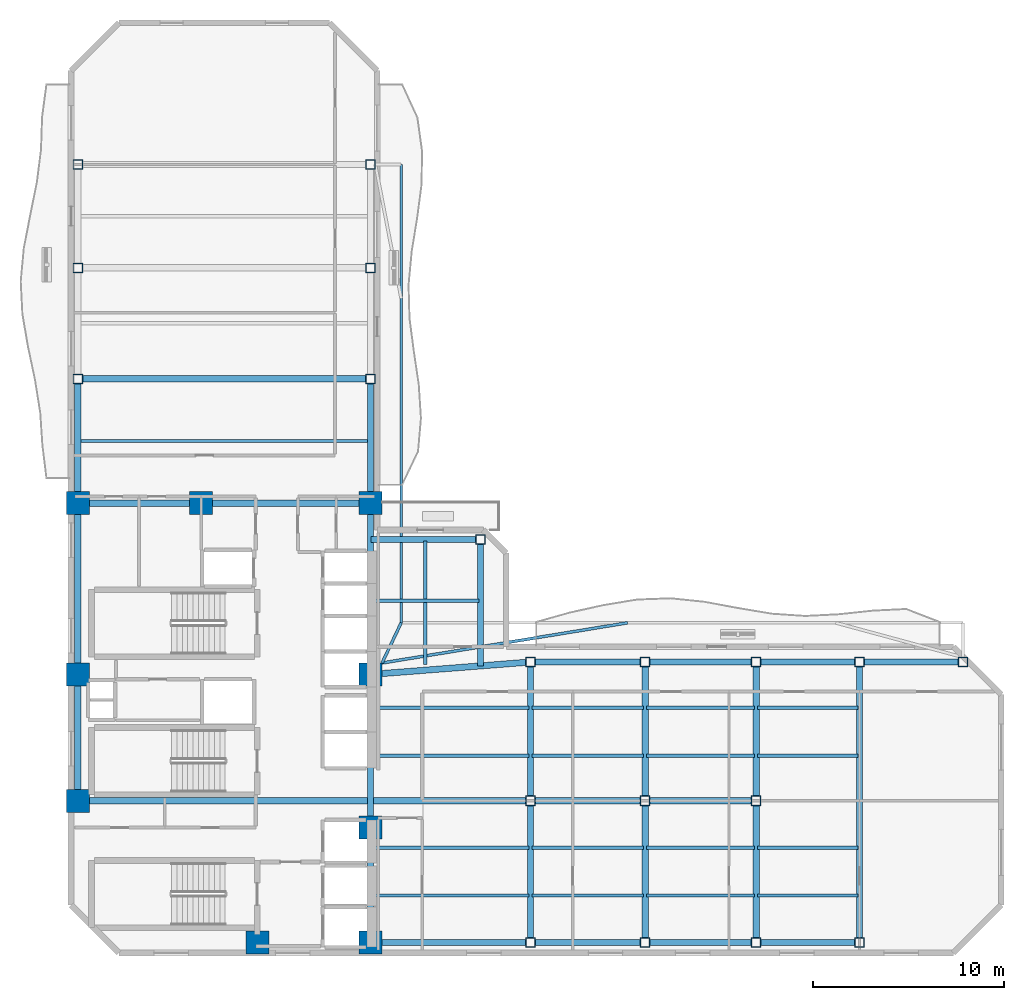
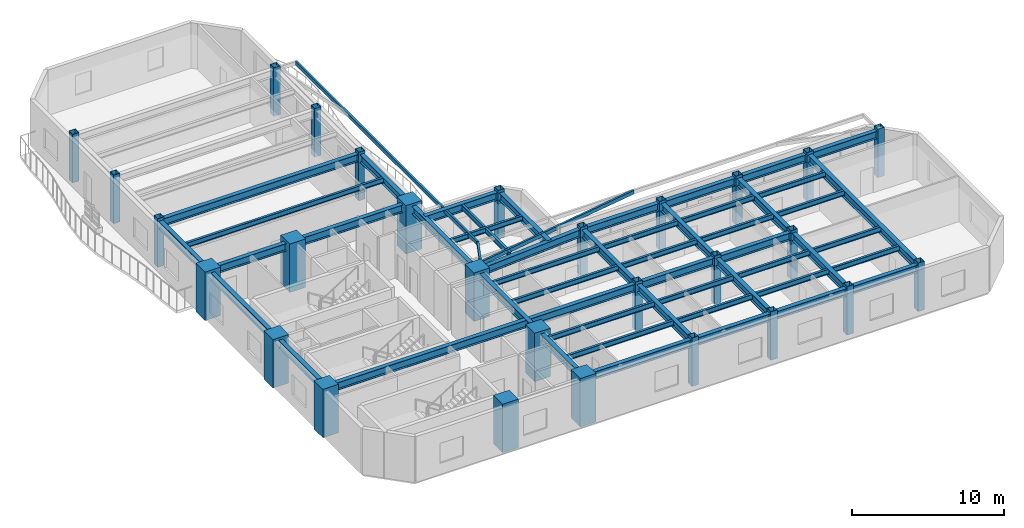
# One storey, part 1 of 10: 53 beams, 28 columns.
"""IFC4 building model written with IfcOpenShell, lengths in metres."""

from ifc_helpers import new_model, si_unit, direction, frame, origin, origin_2d, place, context, subcontext, project, spatial, rectangle, hollow_rectangle, i_section, extrude, material, material_profile, profile_set, type_object, element, save


model = new_model("IFC4")

# Units and contexts
model_context = context("Model", 3, precision=1e-05, world=origin(), true_north=direction((0.0, 1.0)))
body_context = subcontext(model_context, "Body", "Model", "MODEL_VIEW")
ifc_project = project(units=[si_unit("LENGTHUNIT", "METRE"), si_unit("AREAUNIT", "SQUARE_METRE"), si_unit("VOLUMEUNIT", "CUBIC_METRE"), si_unit("PLANEANGLEUNIT", "RADIAN"), si_unit("MASSUNIT", "GRAM", prefix="KILO")], contexts=[model_context])

# Site, building, storey
site_placement = place(None, origin())
site = spatial("IfcSite", under=ifc_project, at=site_placement, CompositionType="ELEMENT")
building_placement = place(site_placement, origin())
building = spatial("IfcBuilding", under=site, at=building_placement, Name="Mawjaban Terraces University", CompositionType="ELEMENT")
storey_placement = place(building_placement, frame((0.0, 0.0, 158.0)))
storey = spatial("IfcBuildingStorey", under=building, at=storey_placement, Name="L38", CompositionType="ELEMENT", Elevation=158.0)

# Columns
ifc_material_1 = material(Name="Concrete C60/75", Category="concrete")
ifc_material_profile_1 = material_profile(ifc_material_1, rectangle(XDim=1.199951171875, YDim=1.199951171875, at=origin_2d()), Name="RC1200X1200")
ifc_profile_set_1 = profile_set([ifc_material_profile_1], Name="Concrete C60/75")
column_type_1 = type_object("IfcColumnType", Name="Col_RC1200X1200", PredefinedType="COLUMN", material=ifc_profile_set_1)
for number, where, z_axis, x_axis, name in (
    (1, (31.75, 0.550048828125, 0.0), (0.0, 0.0, 1.0), (1.0, 0.0, 0.0), "L38 Column CC2"),
    (2, (37.64990234375, 0.550048828125, 0.0), (0.0, 0.0, 1.0), (1.0, 0.0, 0.0), "L38 Column CC3"),
    (3, (22.35009765625, 7.949951171875, 0.0), (0.0, 0.0, 1.0), (1.0, 0.0, 0.0), "L38 Column CC4"),
    (4, (37.64990234375, 6.550048828125, 0.0), (0.0, 0.0, 1.0), (1.0, 0.0, 0.0), "L38 Column CC5"),
    (5, (22.35009765625, 14.550048828125, 0.0), (0.0, 0.0, 1.0), (1.0, 0.0, 0.0), "L38 Column CC6"),
    (6, (37.64990234375, 14.550048828125, 0.0), (0.0, 0.0, 1.0), (1.0, 0.0, 0.0), "L38 Column CC7"),
    (7, (22.35009765625, 23.5, 0.0), (0.0, 0.0, 1.0), (1.0, 0.0, 0.0), "L38 Column CC8"),
    (8, (28.800048828125, 23.5, 0.0), (0.0, 0.0, 1.0), (1.0, 0.0, 0.0), "L38 Column CC9"),
    (9, (37.64990234375, 23.5, 0.0), (0.0, 0.0, 1.0), (1.0, 0.0, 0.0), "L38 Column CC10"),
):
    element("IfcColumn", number, at=place(storey_placement, frame(where, z_axis=z_axis, x_axis=x_axis)), inside=storey, type_object=column_type_1, Name=name, PredefinedType="COLUMN", context=body_context, shape_type="SweptSolid", body=[
        extrude(rectangle(XDim=1.199951171875, YDim=1.199951171875, at=origin_2d()), origin(), (0.0, 0.0, 1.0), 3.89990234375),
    ])
ifc_material_2 = material(Name="Steel EN 10210-1 S355J2H", Category="steel")
ifc_material_profile_2 = material_profile(ifc_material_2, hollow_rectangle(XDim=0.5, YDim=0.5, WallThickness=0.02490234375, at=origin_2d()), Name="SHS500X500X25")
ifc_profile_set_2 = profile_set([ifc_material_profile_2], Name="Steel EN 10210-1 S355J2H")
column_type_2 = type_object("IfcColumnType", Name="Col_SHS500X500X25", PredefinedType="COLUMN", material=ifc_profile_set_2)
for number, where, z_axis, x_axis, name in (
    (10, (46.0, 0.550048828125, 0.0), (0.0, 0.0, 1.0), (1.0, 0.0, 0.0), "L38 Column TE-460-005"),
    (11, (46.0, 7.949951171875, 0.0), (0.0, 0.0, 1.0), (1.0, 0.0, 0.0), "L38 Column TE-460-080"),
    (12, (46.0, 15.199951171875, 0.0), (0.0, 0.0, 1.0), (1.0, 0.0, 0.0), "L38 Column TE-460-152"),
    (13, (52.0, 0.550048828125, 0.0), (0.0, 0.0, 1.0), (1.0, 0.0, 0.0), "L38 Column TE-520-005"),
    (14, (52.0, 7.949951171875, 0.0), (0.0, 0.0, 1.0), (1.0, 0.0, 0.0), "L38 Column TE-520-080"),
    (15, (52.0, 15.199951171875, 0.0), (0.0, 0.0, 1.0), (1.0, 0.0, 0.0), "L38 Column TE-520-152"),
    (16, (57.800048828125, 0.550048828125, 0.0), (0.0, 0.0, 1.0), (1.0, 0.0, 0.0), "L38 Column TE-578-005"),
    (17, (57.800048828125, 7.949951171875, 0.0), (0.0, 0.0, 1.0), (1.0, 0.0, 0.0), "L38 Column TE-578-080"),
    (18, (57.800048828125, 15.199951171875, 0.0), (0.0, 0.0, 1.0), (1.0, 0.0, 0.0), "L38 Column TE-578-152"),
    (19, (63.199951171875, 0.550048828125, 0.0), (0.0, 0.0, 1.0), (1.0, 0.0, 0.0), "L38 Column TE-632-005"),
    (20, (63.199951171875, 15.199951171875, 0.0), (0.0, 0.0, 1.0), (1.0, 0.0, 0.0), "L38 Column TE-632-152"),
    (21, (68.60009765625, 15.199951171875, 0.0), (0.0, 0.0, 1.0), (1.0, 0.0, 0.0), "L38 Column TE-686-152"),
    (22, (22.35009765625, 30.0, 0.0), (0.0, 0.0, 1.0), (1.0, 0.0, 0.0), "L38 Column TN-223-300"),
    (23, (37.64990234375, 30.0, 0.0), (0.0, 0.0, 1.0), (1.0, 0.0, 0.0), "L38 Column TN-376-300"),
    (24, (22.35009765625, 35.800048828125, 0.0), (0.0, 0.0, 1.0), (1.0, 0.0, 0.0), "L38 Column TN-223-358"),
    (25, (37.64990234375, 35.800048828125, 0.0), (0.0, 0.0, 1.0), (1.0, 0.0, 0.0), "L38 Column TN-376-358"),
    (26, (22.35009765625, 41.199951171875, 0.0), (0.0, 0.0, 1.0), (1.0, 0.0, 0.0), "L38 Column TN-223-412"),
    (27, (37.64990234375, 41.199951171875, 0.0), (0.0, 0.0, 1.0), (1.0, 0.0, 0.0), "L38 Column TN-376-412"),
    (28, (43.39990234375, 21.60009765625, 0.0), (0.0, 0.0, 1.0), (1.0, 0.0, 0.0), "L38 Column TS-434-216"),
):
    element("IfcColumn", number, at=place(storey_placement, frame(where, z_axis=z_axis, x_axis=x_axis)), inside=storey, type_object=column_type_2, Name=name, PredefinedType="COLUMN", context=body_context, shape_type="SweptSolid", body=[
        extrude(hollow_rectangle(XDim=0.5, YDim=0.5, WallThickness=0.02490234375, at=origin_2d()), origin(), (0.0, 0.0, 1.0), 3.89990234375),
    ])

# Beams
ifc_material_profile_3 = material_profile(ifc_material_2, hollow_rectangle(XDim=0.14990234375, YDim=0.300048828125, WallThickness=0.012451171875, at=origin_2d()), Name="RHS300X150X12.5")
ifc_profile_set_3 = profile_set([ifc_material_profile_3], Name="Steel EN 10210-1 S355J2H")
beam_type_1 = type_object("IfcBeamType", Name="BalconyCantileverSpandrel_RHS", PredefinedType="SPANDREL", material=ifc_profile_set_3)
beam_1_placement = place(storey_placement, frame((38.25, 15.14990234375, 3.5400390625), z_axis=(0.429917283348, 0.902868279141, 0.0), x_axis=(-0.902868279141, 0.429917283348, 0.0)))
element("IfcBeam", 29, at=beam_1_placement, inside=storey, type_object=beam_type_1, Name="L38 Corner Outrigger BAL-L39-N", PredefinedType="SPANDREL", context=body_context, shape_type="SweptSolid", body=[
    extrude(hollow_rectangle(XDim=0.14990234375, YDim=0.300048828125, WallThickness=0.012451171875, at=origin_2d()), origin(), (0.0, 0.0, 1.0), 2.325927734375),
])
beam_2_placement = place(storey_placement, frame((38.25, 15.14990234375, 3.5400390625), z_axis=(0.986868814816, 0.161523813552, 0.0), x_axis=(-0.161523813552, 0.986868814816, 0.0)))
element("IfcBeam", 30, at=beam_2_placement, inside=storey, type_object=beam_type_1, Name="L38 Exterior Diagonal Strut BAL-L39-N.1", PredefinedType="SPANDREL", context=body_context, shape_type="SweptSolid", body=[
    extrude(hollow_rectangle(XDim=0.14990234375, YDim=0.300048828125, WallThickness=0.012451171875, at=origin_2d()), origin(), (0.0, 0.0, 1.0), 13.001708984375),
])
beam_3_placement = place(storey_placement, frame((39.25, 17.25, 3.5400390625), z_axis=(0.0, 1.0, 0.0), x_axis=(-1.0, 0.0, 0.0)))
element("IfcBeam", 31, at=beam_3_placement, inside=storey, type_object=beam_type_1, Name="L38 Exterior Edge Spandrel BAL-L39-E", PredefinedType="SPANDREL", context=body_context, shape_type="SweptSolid", body=[
    extrude(hollow_rectangle(XDim=0.14990234375, YDim=0.300048828125, WallThickness=0.012451171875, at=origin_2d()), origin(), (0.0, 0.0, 1.0), 23.949951171875),
])
ifc_material_3 = material(Name="Steel ASTM A572 Grade 50", Category="steel")
ifc_material_profile_4 = material_profile(ifc_material_3, i_section(OverallWidth=0.324951171875, OverallDepth=0.615966796875, WebThickness=0.013916015625, FlangeThickness=0.021484375, at=origin_2d()), Name="W610X174")
ifc_profile_set_4 = profile_set([ifc_material_profile_4], Name="Steel ASTM A572 Grade 50")
beam_type_2 = type_object("IfcBeamType", Name="Beam_B_W610X174", PredefinedType="BEAM", material=ifc_profile_set_4)
beam_4_placement = place(storey_placement, frame((38.25, 0.550048828125, 3.382080078125), z_axis=(1.0, 0.0, 0.0), x_axis=(0.0, 1.0, 0.0)))
element("IfcBeam", 32, at=beam_4_placement, inside=storey, type_object=beam_type_2, Name="L38 Beam BM-L38-EW-01", PredefinedType="BEAM", context=body_context, shape_type="SweptSolid", body=[
    extrude(i_section(OverallWidth=0.324951171875, OverallDepth=0.615966796875, WebThickness=0.013916015625, FlangeThickness=0.021484375, at=origin_2d()), origin(), (0.0, 0.0, 1.0), 7.5),
])
beam_5_placement = place(storey_placement, frame((46.25, 0.550048828125, 3.382080078125), z_axis=(1.0, 0.0, 0.0), x_axis=(0.0, 1.0, 0.0)))
element("IfcBeam", 33, at=beam_5_placement, inside=storey, type_object=beam_type_2, Name="L38 Beam BM-L38-EW-02", PredefinedType="BEAM", context=body_context, shape_type="SweptSolid", body=[
    extrude(i_section(OverallWidth=0.324951171875, OverallDepth=0.615966796875, WebThickness=0.013916015625, FlangeThickness=0.021484375, at=origin_2d()), origin(), (0.0, 0.0, 1.0), 5.5),
])
beam_6_placement = place(storey_placement, frame((52.25, 0.550048828125, 3.382080078125), z_axis=(1.0, 0.0, 0.0), x_axis=(0.0, 1.0, 0.0)))
element("IfcBeam", 34, at=beam_6_placement, inside=storey, type_object=beam_type_2, Name="L38 Beam BM-L38-EW-03", PredefinedType="BEAM", context=body_context, shape_type="SweptSolid", body=[
    extrude(i_section(OverallWidth=0.324951171875, OverallDepth=0.615966796875, WebThickness=0.013916015625, FlangeThickness=0.021484375, at=origin_2d()), origin(), (0.0, 0.0, 1.0), 5.300048828125),
])
beam_7_placement = place(storey_placement, frame((58.050048828125, 0.550048828125, 3.382080078125), z_axis=(1.0, 0.0, 0.0), x_axis=(0.0, 1.0, 0.0)))
element("IfcBeam", 35, at=beam_7_placement, inside=storey, type_object=beam_type_2, Name="L38 Beam BM-L38-EW-04", PredefinedType="BEAM", context=body_context, shape_type="SweptSolid", body=[
    extrude(i_section(OverallWidth=0.324951171875, OverallDepth=0.615966796875, WebThickness=0.013916015625, FlangeThickness=0.021484375, at=origin_2d()), origin(), (0.0, 0.0, 1.0), 4.89990234375),
])
beam_8_placement = place(storey_placement, frame((22.949951171875, 7.949951171875, 3.382080078125), z_axis=(1.0, 0.0, 0.0), x_axis=(0.0, 1.0, 0.0)))
element("IfcBeam", 36, at=beam_8_placement, inside=storey, type_object=beam_type_2, Name="L38 Beam BM-L38-EW-05", PredefinedType="BEAM", context=body_context, shape_type="SweptSolid", body=[
    extrude(i_section(OverallWidth=0.324951171875, OverallDepth=0.615966796875, WebThickness=0.013916015625, FlangeThickness=0.021484375, at=origin_2d()), origin(), (0.0, 0.0, 1.0), 22.800048828125),
])
beam_9_placement = place(storey_placement, frame((46.25, 7.949951171875, 3.382080078125), z_axis=(1.0, 0.0, 0.0), x_axis=(0.0, 1.0, 0.0)))
element("IfcBeam", 37, at=beam_9_placement, inside=storey, type_object=beam_type_2, Name="L38 Beam BM-L38-EW-06", PredefinedType="BEAM", context=body_context, shape_type="SweptSolid", body=[
    extrude(i_section(OverallWidth=0.324951171875, OverallDepth=0.615966796875, WebThickness=0.013916015625, FlangeThickness=0.021484375, at=origin_2d()), origin(), (0.0, 0.0, 1.0), 5.5),
])
beam_10_placement = place(storey_placement, frame((52.25, 7.949951171875, 3.382080078125), z_axis=(1.0, 0.0, 0.0), x_axis=(0.0, 1.0, 0.0)))
element("IfcBeam", 38, at=beam_10_placement, inside=storey, type_object=beam_type_2, Name="L38 Beam BM-L38-EW-07", PredefinedType="BEAM", context=body_context, shape_type="SweptSolid", body=[
    extrude(i_section(OverallWidth=0.324951171875, OverallDepth=0.615966796875, WebThickness=0.013916015625, FlangeThickness=0.021484375, at=origin_2d()), origin(), (0.0, 0.0, 1.0), 5.300048828125),
])
beam_11_placement = place(storey_placement, frame((46.25, 15.199951171875, 3.382080078125), z_axis=(1.0, 0.0, 0.0), x_axis=(0.0, 1.0, 0.0)))
element("IfcBeam", 39, at=beam_11_placement, inside=storey, type_object=beam_type_2, Name="L38 Beam BM-L38-EW-08", PredefinedType="BEAM", context=body_context, shape_type="SweptSolid", body=[
    extrude(i_section(OverallWidth=0.324951171875, OverallDepth=0.615966796875, WebThickness=0.013916015625, FlangeThickness=0.021484375, at=origin_2d()), origin(), (0.0, 0.0, 1.0), 5.5),
])
beam_12_placement = place(storey_placement, frame((52.25, 15.199951171875, 3.382080078125), z_axis=(1.0, 0.0, 0.0), x_axis=(0.0, 1.0, 0.0)))
element("IfcBeam", 40, at=beam_12_placement, inside=storey, type_object=beam_type_2, Name="L38 Beam BM-L38-EW-09", PredefinedType="BEAM", context=body_context, shape_type="SweptSolid", body=[
    extrude(i_section(OverallWidth=0.324951171875, OverallDepth=0.615966796875, WebThickness=0.013916015625, FlangeThickness=0.021484375, at=origin_2d()), origin(), (0.0, 0.0, 1.0), 5.300048828125),
])
beam_13_placement = place(storey_placement, frame((58.050048828125, 15.199951171875, 3.382080078125), z_axis=(1.0, 0.0, 0.0), x_axis=(0.0, 1.0, 0.0)))
element("IfcBeam", 41, at=beam_13_placement, inside=storey, type_object=beam_type_2, Name="L38 Beam BM-L38-EW-10", PredefinedType="BEAM", context=body_context, shape_type="SweptSolid", body=[
    extrude(i_section(OverallWidth=0.324951171875, OverallDepth=0.615966796875, WebThickness=0.013916015625, FlangeThickness=0.021484375, at=origin_2d()), origin(), (0.0, 0.0, 1.0), 4.89990234375),
])
beam_14_placement = place(storey_placement, frame((63.449951171875, 15.199951171875, 3.382080078125), z_axis=(1.0, 0.0, 0.0), x_axis=(0.0, 1.0, 0.0)))
element("IfcBeam", 42, at=beam_14_placement, inside=storey, type_object=beam_type_2, Name="L38 Beam BM-L38-EW-11", PredefinedType="BEAM", context=body_context, shape_type="SweptSolid", body=[
    extrude(i_section(OverallWidth=0.324951171875, OverallDepth=0.615966796875, WebThickness=0.013916015625, FlangeThickness=0.021484375, at=origin_2d()), origin(), (0.0, 0.0, 1.0), 4.900146484375),
])
beam_15_placement = place(storey_placement, frame((22.949951171875, 23.5, 3.382080078125), z_axis=(1.0, 0.0, 0.0), x_axis=(0.0, 1.0, 0.0)))
element("IfcBeam", 43, at=beam_15_placement, inside=storey, type_object=beam_type_2, Name="L38 Beam BM-L38-EW-12", PredefinedType="BEAM", context=body_context, shape_type="SweptSolid", body=[
    extrude(i_section(OverallWidth=0.324951171875, OverallDepth=0.615966796875, WebThickness=0.013916015625, FlangeThickness=0.021484375, at=origin_2d()), origin(), (0.0, 0.0, 1.0), 5.25),
])
beam_16_placement = place(storey_placement, frame((29.39990234375, 23.5, 3.382080078125), z_axis=(1.0, 0.0, 0.0), x_axis=(0.0, 1.0, 0.0)))
element("IfcBeam", 44, at=beam_16_placement, inside=storey, type_object=beam_type_2, Name="L38 Beam BM-L38-EW-13", PredefinedType="BEAM", context=body_context, shape_type="SweptSolid", body=[
    extrude(i_section(OverallWidth=0.324951171875, OverallDepth=0.615966796875, WebThickness=0.013916015625, FlangeThickness=0.021484375, at=origin_2d()), origin(), (0.0, 0.0, 1.0), 7.650146484375),
])
beam_17_placement = place(storey_placement, frame((22.60009765625, 30.0, 3.382080078125), z_axis=(1.0, 0.0, 0.0), x_axis=(0.0, 1.0, 0.0)))
element("IfcBeam", 45, at=beam_17_placement, inside=storey, type_object=beam_type_2, Name="L38 Beam BM-L38-EW-14", PredefinedType="BEAM", context=body_context, shape_type="SweptSolid", body=[
    extrude(i_section(OverallWidth=0.324951171875, OverallDepth=0.615966796875, WebThickness=0.013916015625, FlangeThickness=0.021484375, at=origin_2d()), origin(), (0.0, 0.0, 1.0), 14.7998046875),
])
beam_18_placement = place(storey_placement, frame((22.35009765625, 8.550048828125, 3.382080078125), z_axis=(0.0, 1.0, 0.0), x_axis=(-1.0, 0.0, 0.0)))
element("IfcBeam", 46, at=beam_18_placement, inside=storey, type_object=beam_type_2, Name="L38 Beam BM-L38-NS-01", PredefinedType="BEAM", context=body_context, shape_type="SweptSolid", body=[
    extrude(i_section(OverallWidth=0.324951171875, OverallDepth=0.615966796875, WebThickness=0.013916015625, FlangeThickness=0.021484375, at=origin_2d()), origin(), (0.0, 0.0, 1.0), 5.39990234375),
])
beam_19_placement = place(storey_placement, frame((22.35009765625, 15.14990234375, 3.382080078125), z_axis=(0.0, 1.0, 0.0), x_axis=(-1.0, 0.0, 0.0)))
element("IfcBeam", 47, at=beam_19_placement, inside=storey, type_object=beam_type_2, Name="L38 Beam BM-L38-NS-02", PredefinedType="BEAM", context=body_context, shape_type="SweptSolid", body=[
    extrude(i_section(OverallWidth=0.324951171875, OverallDepth=0.615966796875, WebThickness=0.013916015625, FlangeThickness=0.021484375, at=origin_2d()), origin(), (0.0, 0.0, 1.0), 7.75),
])
beam_20_placement = place(storey_placement, frame((22.35009765625, 24.10009765625, 3.382080078125), z_axis=(0.0, 1.0, 0.0), x_axis=(-1.0, 0.0, 0.0)))
element("IfcBeam", 48, at=beam_20_placement, inside=storey, type_object=beam_type_2, Name="L38 Beam BM-L38-NS-03", PredefinedType="BEAM", context=body_context, shape_type="SweptSolid", body=[
    extrude(i_section(OverallWidth=0.324951171875, OverallDepth=0.615966796875, WebThickness=0.013916015625, FlangeThickness=0.021484375, at=origin_2d()), origin(), (0.0, 0.0, 1.0), 5.64990234375),
])
beam_21_placement = place(storey_placement, frame((37.64990234375, 1.14990234375, 3.382080078125), z_axis=(0.0, 1.0, 0.0), x_axis=(-1.0, 0.0, 0.0)))
element("IfcBeam", 49, at=beam_21_placement, inside=storey, type_object=beam_type_2, Name="L38 Beam BM-L38-NS-06", PredefinedType="BEAM", context=body_context, shape_type="SweptSolid", body=[
    extrude(i_section(OverallWidth=0.324951171875, OverallDepth=0.615966796875, WebThickness=0.013916015625, FlangeThickness=0.021484375, at=origin_2d()), origin(), (0.0, 0.0, 1.0), 4.800048828125),
])
beam_22_placement = place(storey_placement, frame((37.64990234375, 7.14990234375, 3.382080078125), z_axis=(0.0, 1.0, 0.0), x_axis=(-1.0, 0.0, 0.0)))
element("IfcBeam", 50, at=beam_22_placement, inside=storey, type_object=beam_type_2, Name="L38 Beam BM-L38-NS-07", PredefinedType="BEAM", context=body_context, shape_type="SweptSolid", body=[
    extrude(i_section(OverallWidth=0.324951171875, OverallDepth=0.615966796875, WebThickness=0.013916015625, FlangeThickness=0.021484375, at=origin_2d()), origin(), (0.0, 0.0, 1.0), 6.800048828125),
])
beam_23_placement = place(storey_placement, frame((37.64990234375, 15.14990234375, 3.382080078125), z_axis=(0.0, 1.0, 0.0), x_axis=(-1.0, 0.0, 0.0)))
element("IfcBeam", 51, at=beam_23_placement, inside=storey, type_object=beam_type_2, Name="L38 Beam BM-L38-NS-08", PredefinedType="BEAM", context=body_context, shape_type="SweptSolid", body=[
    extrude(i_section(OverallWidth=0.324951171875, OverallDepth=0.615966796875, WebThickness=0.013916015625, FlangeThickness=0.021484375, at=origin_2d()), origin(), (0.0, 0.0, 1.0), 7.75),
])
beam_24_placement = place(storey_placement, frame((37.64990234375, 24.10009765625, 3.382080078125), z_axis=(0.0, 1.0, 0.0), x_axis=(-1.0, 0.0, 0.0)))
element("IfcBeam", 52, at=beam_24_placement, inside=storey, type_object=beam_type_2, Name="L38 Beam BM-L38-NS-09", PredefinedType="BEAM", context=body_context, shape_type="SweptSolid", body=[
    extrude(i_section(OverallWidth=0.324951171875, OverallDepth=0.615966796875, WebThickness=0.013916015625, FlangeThickness=0.021484375, at=origin_2d()), origin(), (0.0, 0.0, 1.0), 5.64990234375),
])
beam_25_placement = place(storey_placement, frame((46.0, 0.800048828125, 3.382080078125), z_axis=(0.0, 1.0, 0.0), x_axis=(-1.0, 0.0, 0.0)))
element("IfcBeam", 53, at=beam_25_placement, inside=storey, type_object=beam_type_2, Name="L38 Beam BM-L38-NS-12", PredefinedType="BEAM", context=body_context, shape_type="SweptSolid", body=[
    extrude(i_section(OverallWidth=0.324951171875, OverallDepth=0.615966796875, WebThickness=0.013916015625, FlangeThickness=0.021484375, at=origin_2d()), origin(), (0.0, 0.0, 1.0), 6.89990234375),
])
beam_26_placement = place(storey_placement, frame((46.0, 8.199951171875, 3.382080078125), z_axis=(0.0, 1.0, 0.0), x_axis=(-1.0, 0.0, 0.0)))
element("IfcBeam", 54, at=beam_26_placement, inside=storey, type_object=beam_type_2, Name="L38 Beam BM-L38-NS-13", PredefinedType="BEAM", context=body_context, shape_type="SweptSolid", body=[
    extrude(i_section(OverallWidth=0.324951171875, OverallDepth=0.615966796875, WebThickness=0.013916015625, FlangeThickness=0.021484375, at=origin_2d()), origin(), (0.0, 0.0, 1.0), 6.75),
])
beam_27_placement = place(storey_placement, frame((52.0, 0.800048828125, 3.382080078125), z_axis=(0.0, 1.0, 0.0), x_axis=(-1.0, 0.0, 0.0)))
element("IfcBeam", 55, at=beam_27_placement, inside=storey, type_object=beam_type_2, Name="L38 Beam BM-L38-NS-14", PredefinedType="BEAM", context=body_context, shape_type="SweptSolid", body=[
    extrude(i_section(OverallWidth=0.324951171875, OverallDepth=0.615966796875, WebThickness=0.013916015625, FlangeThickness=0.021484375, at=origin_2d()), origin(), (0.0, 0.0, 1.0), 6.89990234375),
])
beam_28_placement = place(storey_placement, frame((52.0, 8.199951171875, 3.382080078125), z_axis=(0.0, 1.0, 0.0), x_axis=(-1.0, 0.0, 0.0)))
element("IfcBeam", 56, at=beam_28_placement, inside=storey, type_object=beam_type_2, Name="L38 Beam BM-L38-NS-15", PredefinedType="BEAM", context=body_context, shape_type="SweptSolid", body=[
    extrude(i_section(OverallWidth=0.324951171875, OverallDepth=0.615966796875, WebThickness=0.013916015625, FlangeThickness=0.021484375, at=origin_2d()), origin(), (0.0, 0.0, 1.0), 6.75),
])
beam_29_placement = place(storey_placement, frame((57.800048828125, 0.800048828125, 3.382080078125), z_axis=(0.0, 1.0, 0.0), x_axis=(-1.0, 0.0, 0.0)))
element("IfcBeam", 57, at=beam_29_placement, inside=storey, type_object=beam_type_2, Name="L38 Beam BM-L38-NS-16", PredefinedType="BEAM", context=body_context, shape_type="SweptSolid", body=[
    extrude(i_section(OverallWidth=0.324951171875, OverallDepth=0.615966796875, WebThickness=0.013916015625, FlangeThickness=0.021484375, at=origin_2d()), origin(), (0.0, 0.0, 1.0), 6.89990234375),
])
beam_30_placement = place(storey_placement, frame((57.800048828125, 8.199951171875, 3.382080078125), z_axis=(0.0, 1.0, 0.0), x_axis=(-1.0, 0.0, 0.0)))
element("IfcBeam", 58, at=beam_30_placement, inside=storey, type_object=beam_type_2, Name="L38 Beam BM-L38-NS-17", PredefinedType="BEAM", context=body_context, shape_type="SweptSolid", body=[
    extrude(i_section(OverallWidth=0.324951171875, OverallDepth=0.615966796875, WebThickness=0.013916015625, FlangeThickness=0.021484375, at=origin_2d()), origin(), (0.0, 0.0, 1.0), 6.75),
])
beam_31_placement = place(storey_placement, frame((63.199951171875, 0.800048828125, 3.382080078125), z_axis=(0.0, 1.0, 0.0), x_axis=(-1.0, 0.0, 0.0)))
element("IfcBeam", 59, at=beam_31_placement, inside=storey, type_object=beam_type_2, Name="L38 Beam BM-L38-NS-18", PredefinedType="BEAM", context=body_context, shape_type="SweptSolid", body=[
    extrude(i_section(OverallWidth=0.324951171875, OverallDepth=0.615966796875, WebThickness=0.013916015625, FlangeThickness=0.021484375, at=origin_2d()), origin(), (0.0, 0.0, 1.0), 14.14990234375),
])
beam_32_placement = place(storey_placement, frame((38.248046875, 14.596923828125, 3.382080078125), z_axis=(0.996984614132, 0.077599479273, 0.0), x_axis=(-0.077599479273, 0.996984614132, 0.0)))
element("IfcBeam", 60, at=beam_32_placement, inside=storey, type_object=beam_type_2, Name="L38 Beam BM-L38-CTIE", PredefinedType="BEAM", context=body_context, shape_type="SweptSolid", body=[
    extrude(i_section(OverallWidth=0.324951171875, OverallDepth=0.615966796875, WebThickness=0.013916015625, FlangeThickness=0.021484375, at=origin_2d()), origin(), (0.0, 0.0, 1.0), 7.525634765625),
])
beam_33_placement = place(storey_placement, frame((37.679931640625, 21.60009765625, 3.382080078125), z_axis=(1.0, 0.0, 0.0), x_axis=(0.0, 1.0, 0.0)))
element("IfcBeam", 61, at=beam_33_placement, inside=storey, type_object=beam_type_2, Name="L38 Spur Tie Girder West", PredefinedType="BEAM", context=body_context, shape_type="SweptSolid", body=[
    extrude(i_section(OverallWidth=0.324951171875, OverallDepth=0.615966796875, WebThickness=0.013916015625, FlangeThickness=0.021484375, at=origin_2d()), origin(), (0.0, 0.0, 1.0), 5.469970703125),
])
beam_34_placement = place(storey_placement, frame((43.39990234375, 15.0, 3.382080078125), z_axis=(0.0, 1.0, 0.0), x_axis=(-1.0, 0.0, 0.0)))
element("IfcBeam", 62, at=beam_34_placement, inside=storey, type_object=beam_type_2, Name="L38 Spur Tie Girder South", PredefinedType="BEAM", context=body_context, shape_type="SweptSolid", body=[
    extrude(i_section(OverallWidth=0.324951171875, OverallDepth=0.615966796875, WebThickness=0.013916015625, FlangeThickness=0.021484375, at=origin_2d()), origin(), (0.0, 0.0, 1.0), 6.35009765625),
])
ifc_material_profile_5 = material_profile(ifc_material_3, i_section(OverallWidth=0.179931640625, OverallDepth=0.4130859375, WebThickness=0.009765625, FlangeThickness=0.01611328125, at=origin_2d()), Name="W410X74")
ifc_profile_set_5 = profile_set([ifc_material_profile_5], Name="Steel ASTM A572 Grade 50")
beam_type_3 = type_object("IfcBeamType", Name="Beam_J_W410X74", PredefinedType="JOIST", material=ifc_profile_set_5)
beam_35_placement = place(storey_placement, frame((37.72998046875, 3.0, 3.48291015625), z_axis=(1.0, 0.0, 0.0), x_axis=(0.0, 1.0, 0.0)))
element("IfcBeam", 63, at=beam_35_placement, inside=storey, type_object=beam_type_3, Name="L38 Composite Joist JST-L38-01", PredefinedType="JOIST", context=body_context, shape_type="SweptSolid", body=[
    extrude(i_section(OverallWidth=0.179931640625, OverallDepth=0.4130859375, WebThickness=0.009765625, FlangeThickness=0.01611328125, at=origin_2d()), origin(), (0.0, 0.0, 1.0), 8.18994140625),
])
beam_36_placement = place(storey_placement, frame((46.080078125, 3.0, 3.48291015625), z_axis=(1.0, 0.0, 0.0), x_axis=(0.0, 1.0, 0.0)))
element("IfcBeam", 64, at=beam_36_placement, inside=storey, type_object=beam_type_3, Name="L38 Composite Joist JST-L38-02", PredefinedType="JOIST", context=body_context, shape_type="SweptSolid", body=[
    extrude(i_section(OverallWidth=0.179931640625, OverallDepth=0.4130859375, WebThickness=0.009765625, FlangeThickness=0.01611328125, at=origin_2d()), origin(), (0.0, 0.0, 1.0), 5.83984375),
])
beam_37_placement = place(storey_placement, frame((52.080078125, 3.0, 3.48291015625), z_axis=(1.0, 0.0, 0.0), x_axis=(0.0, 1.0, 0.0)))
element("IfcBeam", 65, at=beam_37_placement, inside=storey, type_object=beam_type_3, Name="L38 Composite Joist JST-L38-03", PredefinedType="JOIST", context=body_context, shape_type="SweptSolid", body=[
    extrude(i_section(OverallWidth=0.179931640625, OverallDepth=0.4130859375, WebThickness=0.009765625, FlangeThickness=0.01611328125, at=origin_2d()), origin(), (0.0, 0.0, 1.0), 5.639892578125),
])
beam_38_placement = place(storey_placement, frame((57.8798828125, 3.0, 3.48291015625), z_axis=(1.0, 0.0, 0.0), x_axis=(0.0, 1.0, 0.0)))
element("IfcBeam", 66, at=beam_38_placement, inside=storey, type_object=beam_type_3, Name="L38 Composite Joist JST-L38-04", PredefinedType="JOIST", context=body_context, shape_type="SweptSolid", body=[
    extrude(i_section(OverallWidth=0.179931640625, OverallDepth=0.4130859375, WebThickness=0.009765625, FlangeThickness=0.01611328125, at=origin_2d()), origin(), (0.0, 0.0, 1.0), 5.240234375),
])
beam_39_placement = place(storey_placement, frame((37.72998046875, 5.5, 3.48291015625), z_axis=(1.0, 0.0, 0.0), x_axis=(0.0, 1.0, 0.0)))
element("IfcBeam", 67, at=beam_39_placement, inside=storey, type_object=beam_type_3, Name="L38 Composite Joist JST-L38-05", PredefinedType="JOIST", context=body_context, shape_type="SweptSolid", body=[
    extrude(i_section(OverallWidth=0.179931640625, OverallDepth=0.4130859375, WebThickness=0.009765625, FlangeThickness=0.01611328125, at=origin_2d()), origin(), (0.0, 0.0, 1.0), 8.18994140625),
])
beam_40_placement = place(storey_placement, frame((46.080078125, 5.5, 3.48291015625), z_axis=(1.0, 0.0, 0.0), x_axis=(0.0, 1.0, 0.0)))
element("IfcBeam", 68, at=beam_40_placement, inside=storey, type_object=beam_type_3, Name="L38 Composite Joist JST-L38-06", PredefinedType="JOIST", context=body_context, shape_type="SweptSolid", body=[
    extrude(i_section(OverallWidth=0.179931640625, OverallDepth=0.4130859375, WebThickness=0.009765625, FlangeThickness=0.01611328125, at=origin_2d()), origin(), (0.0, 0.0, 1.0), 5.83984375),
])
beam_41_placement = place(storey_placement, frame((52.080078125, 5.5, 3.48291015625), z_axis=(1.0, 0.0, 0.0), x_axis=(0.0, 1.0, 0.0)))
element("IfcBeam", 69, at=beam_41_placement, inside=storey, type_object=beam_type_3, Name="L38 Composite Joist JST-L38-07", PredefinedType="JOIST", context=body_context, shape_type="SweptSolid", body=[
    extrude(i_section(OverallWidth=0.179931640625, OverallDepth=0.4130859375, WebThickness=0.009765625, FlangeThickness=0.01611328125, at=origin_2d()), origin(), (0.0, 0.0, 1.0), 5.639892578125),
])
beam_42_placement = place(storey_placement, frame((57.8798828125, 5.5, 3.48291015625), z_axis=(1.0, 0.0, 0.0), x_axis=(0.0, 1.0, 0.0)))
element("IfcBeam", 70, at=beam_42_placement, inside=storey, type_object=beam_type_3, Name="L38 Composite Joist JST-L38-08", PredefinedType="JOIST", context=body_context, shape_type="SweptSolid", body=[
    extrude(i_section(OverallWidth=0.179931640625, OverallDepth=0.4130859375, WebThickness=0.009765625, FlangeThickness=0.01611328125, at=origin_2d()), origin(), (0.0, 0.0, 1.0), 5.240234375),
])
beam_43_placement = place(storey_placement, frame((37.72998046875, 10.300048828125, 3.48291015625), z_axis=(1.0, 0.0, 0.0), x_axis=(0.0, 1.0, 0.0)))
element("IfcBeam", 71, at=beam_43_placement, inside=storey, type_object=beam_type_3, Name="L38 Composite Joist JST-L38-09", PredefinedType="JOIST", context=body_context, shape_type="SweptSolid", body=[
    extrude(i_section(OverallWidth=0.179931640625, OverallDepth=0.4130859375, WebThickness=0.009765625, FlangeThickness=0.01611328125, at=origin_2d()), origin(), (0.0, 0.0, 1.0), 8.18994140625),
])
beam_44_placement = place(storey_placement, frame((46.080078125, 10.300048828125, 3.48291015625), z_axis=(1.0, 0.0, 0.0), x_axis=(0.0, 1.0, 0.0)))
element("IfcBeam", 72, at=beam_44_placement, inside=storey, type_object=beam_type_3, Name="L38 Composite Joist JST-L38-10", PredefinedType="JOIST", context=body_context, shape_type="SweptSolid", body=[
    extrude(i_section(OverallWidth=0.179931640625, OverallDepth=0.4130859375, WebThickness=0.009765625, FlangeThickness=0.01611328125, at=origin_2d()), origin(), (0.0, 0.0, 1.0), 5.83984375),
])
beam_45_placement = place(storey_placement, frame((52.080078125, 10.300048828125, 3.48291015625), z_axis=(1.0, 0.0, 0.0), x_axis=(0.0, 1.0, 0.0)))
element("IfcBeam", 73, at=beam_45_placement, inside=storey, type_object=beam_type_3, Name="L38 Composite Joist JST-L38-11", PredefinedType="JOIST", context=body_context, shape_type="SweptSolid", body=[
    extrude(i_section(OverallWidth=0.179931640625, OverallDepth=0.4130859375, WebThickness=0.009765625, FlangeThickness=0.01611328125, at=origin_2d()), origin(), (0.0, 0.0, 1.0), 5.639892578125),
])
beam_46_placement = place(storey_placement, frame((57.8798828125, 10.300048828125, 3.48291015625), z_axis=(1.0, 0.0, 0.0), x_axis=(0.0, 1.0, 0.0)))
element("IfcBeam", 74, at=beam_46_placement, inside=storey, type_object=beam_type_3, Name="L38 Composite Joist JST-L38-12", PredefinedType="JOIST", context=body_context, shape_type="SweptSolid", body=[
    extrude(i_section(OverallWidth=0.179931640625, OverallDepth=0.4130859375, WebThickness=0.009765625, FlangeThickness=0.01611328125, at=origin_2d()), origin(), (0.0, 0.0, 1.0), 5.240234375),
])
beam_47_placement = place(storey_placement, frame((37.72998046875, 12.800048828125, 3.48291015625), z_axis=(1.0, 0.0, 0.0), x_axis=(0.0, 1.0, 0.0)))
element("IfcBeam", 75, at=beam_47_placement, inside=storey, type_object=beam_type_3, Name="L38 Composite Joist JST-L38-13", PredefinedType="JOIST", context=body_context, shape_type="SweptSolid", body=[
    extrude(i_section(OverallWidth=0.179931640625, OverallDepth=0.4130859375, WebThickness=0.009765625, FlangeThickness=0.01611328125, at=origin_2d()), origin(), (0.0, 0.0, 1.0), 8.18994140625),
])
beam_48_placement = place(storey_placement, frame((46.080078125, 12.800048828125, 3.48291015625), z_axis=(1.0, 0.0, 0.0), x_axis=(0.0, 1.0, 0.0)))
element("IfcBeam", 76, at=beam_48_placement, inside=storey, type_object=beam_type_3, Name="L38 Composite Joist JST-L38-14", PredefinedType="JOIST", context=body_context, shape_type="SweptSolid", body=[
    extrude(i_section(OverallWidth=0.179931640625, OverallDepth=0.4130859375, WebThickness=0.009765625, FlangeThickness=0.01611328125, at=origin_2d()), origin(), (0.0, 0.0, 1.0), 5.83984375),
])
beam_49_placement = place(storey_placement, frame((52.080078125, 12.800048828125, 3.48291015625), z_axis=(1.0, 0.0, 0.0), x_axis=(0.0, 1.0, 0.0)))
element("IfcBeam", 77, at=beam_49_placement, inside=storey, type_object=beam_type_3, Name="L38 Composite Joist JST-L38-15", PredefinedType="JOIST", context=body_context, shape_type="SweptSolid", body=[
    extrude(i_section(OverallWidth=0.179931640625, OverallDepth=0.4130859375, WebThickness=0.009765625, FlangeThickness=0.01611328125, at=origin_2d()), origin(), (0.0, 0.0, 1.0), 5.639892578125),
])
beam_50_placement = place(storey_placement, frame((57.8798828125, 12.800048828125, 3.48291015625), z_axis=(1.0, 0.0, 0.0), x_axis=(0.0, 1.0, 0.0)))
element("IfcBeam", 78, at=beam_50_placement, inside=storey, type_object=beam_type_3, Name="L38 Composite Joist JST-L38-16", PredefinedType="JOIST", context=body_context, shape_type="SweptSolid", body=[
    extrude(i_section(OverallWidth=0.179931640625, OverallDepth=0.4130859375, WebThickness=0.009765625, FlangeThickness=0.01611328125, at=origin_2d()), origin(), (0.0, 0.0, 1.0), 5.240234375),
])
beam_51_placement = place(storey_placement, frame((37.72998046875, 18.39990234375, 3.48291015625), z_axis=(1.0, 0.0, 0.0), x_axis=(0.0, 1.0, 0.0)))
element("IfcBeam", 79, at=beam_51_placement, inside=storey, type_object=beam_type_3, Name="L38 Composite Joist JST-L38-17", PredefinedType="JOIST", context=body_context, shape_type="SweptSolid", body=[
    extrude(i_section(OverallWidth=0.179931640625, OverallDepth=0.4130859375, WebThickness=0.009765625, FlangeThickness=0.01611328125, at=origin_2d()), origin(), (0.0, 0.0, 1.0), 5.590087890625),
])
beam_52_placement = place(storey_placement, frame((22.429931640625, 26.75, 3.48291015625), z_axis=(1.0, 0.0, 0.0), x_axis=(0.0, 1.0, 0.0)))
element("IfcBeam", 80, at=beam_52_placement, inside=storey, type_object=beam_type_3, Name="L38 Composite Joist JST-L38-18", PredefinedType="JOIST", context=body_context, shape_type="SweptSolid", body=[
    extrude(i_section(OverallWidth=0.179931640625, OverallDepth=0.4130859375, WebThickness=0.009765625, FlangeThickness=0.01611328125, at=origin_2d()), origin(), (0.0, 0.0, 1.0), 15.14013671875),
])
beam_53_placement = place(storey_placement, frame((40.5, 15.080078125, 3.48291015625), z_axis=(0.0, 1.0, 0.0), x_axis=(-1.0, 0.0, 0.0)))
element("IfcBeam", 81, at=beam_53_placement, inside=storey, type_object=beam_type_3, Name="L38 Composite Joist JST-L38-NS-21", PredefinedType="JOIST", context=body_context, shape_type="SweptSolid", body=[
    extrude(i_section(OverallWidth=0.179931640625, OverallDepth=0.4130859375, WebThickness=0.009765625, FlangeThickness=0.01611328125, at=origin_2d()), origin(), (0.0, 0.0, 1.0), 6.43994140625),
])

save(model, "model.ifc")
